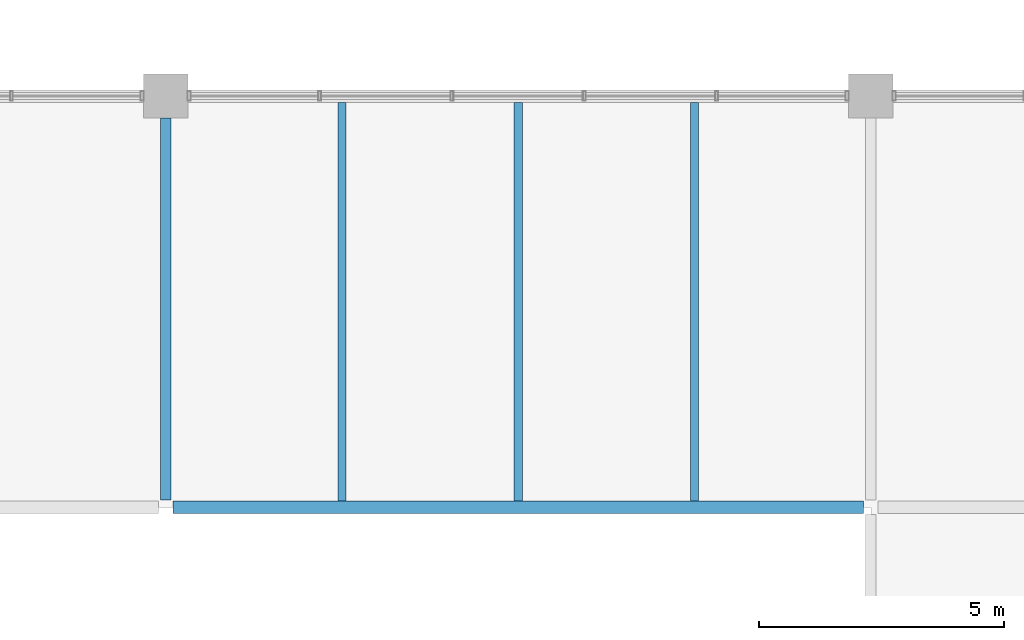
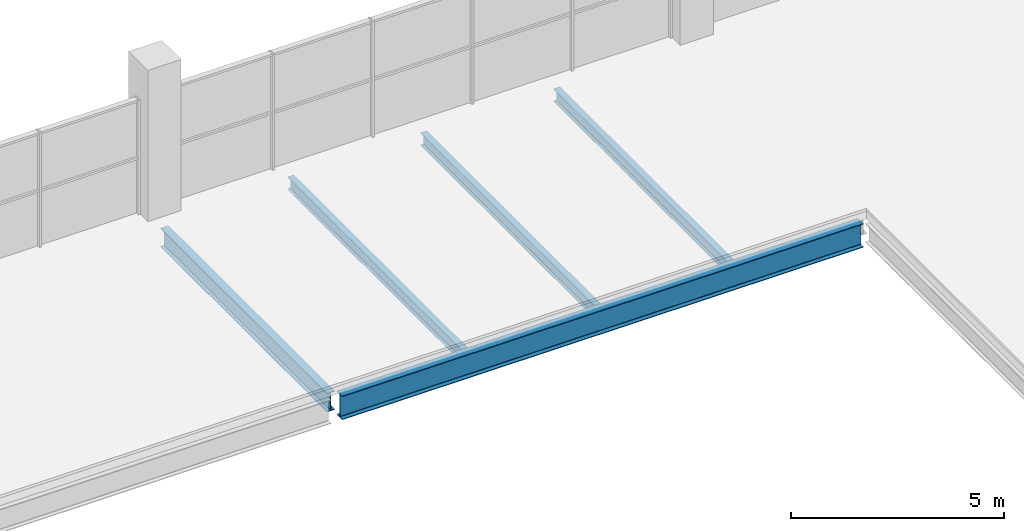
# One storey, part 24 of 93: 5 beams.
"""IFC4 building model written with IfcOpenShell, lengths in metres."""

from ifc_helpers import new_model, si_unit, direction, frame, origin, origin_2d, place, context, subcontext, project, spatial, i_section, extrude, material, material_profile, profile_set, type_object, element, save


model = new_model("IFC4")

# Units and contexts
model_context = context("Model", 3, precision=1e-05, world=origin(), true_north=direction((0.0, 1.0)))
body_context = subcontext(model_context, "Body", "Model", "MODEL_VIEW")
ifc_project = project(units=[si_unit("LENGTHUNIT", "METRE"), si_unit("AREAUNIT", "SQUARE_METRE"), si_unit("VOLUMEUNIT", "CUBIC_METRE"), si_unit("PLANEANGLEUNIT", "RADIAN"), si_unit("MASSUNIT", "GRAM", prefix="KILO"), si_unit("THERMODYNAMICTEMPERATUREUNIT", "KELVIN")], contexts=[model_context])

# Site, building, storey
site_placement = place(None, origin())
site = spatial("IfcSite", under=ifc_project, at=site_placement, CompositionType="ELEMENT")
building_placement = place(site_placement, origin())
building = spatial("IfcBuilding", under=site, at=building_placement, Name="Nduvali Passage Aquatics Centre", CompositionType="ELEMENT")
storey_placement = place(building_placement, frame((0.0, 0.0, 9.0)))
storey = spatial("IfcBuildingStorey", under=building, at=storey_placement, Name="L02", CompositionType="ELEMENT", Elevation=9.0)

# Beams
ifc_material = material(Name="Steel S355", Category="steel")
ifc_material_profile_1 = material_profile(ifc_material, i_section(OverallWidth=0.210693359375, OverallDepth=0.53955078125, WebThickness=0.01171875, FlangeThickness=0.018798828125, FilletRadius=0.0126953125, at=origin_2d()), Name="UKB 533x210x109")
ifc_profile_set_1 = profile_set([ifc_material_profile_1], Name="Steel S355")
beam_type_1 = type_object("IfcBeamType", Name="STR-BM-UKB533", PredefinedType="BEAM", material=ifc_profile_set_1)
beam_1_placement = place(storey_placement, frame((82.800048828125, 16.949951171875, -0.493896484375), z_axis=(0.0, 1.0, 0.0), x_axis=(-1.0, 0.0, 0.0)))
element("IfcBeam", 1, at=beam_1_placement, inside=storey, type_object=beam_type_1, Name="L02 Primary Y-Girder B6-0988", PredefinedType="BEAM", context=body_context, shape_type="SweptSolid", body=[
    extrude(i_section(OverallWidth=0.210693359375, OverallDepth=0.53955078125, WebThickness=0.01171875, FlangeThickness=0.018798828125, FilletRadius=0.0126953125, at=origin_2d()), origin(), (0.0, 0.0, 1.0), 7.800048828125),
])
ifc_material_profile_2 = material_profile(ifc_material, i_section(OverallWidth=0.253662109375, OverallDepth=0.68359375, WebThickness=0.012451171875, FlangeThickness=0.01904296875, FilletRadius=0.01513671875, at=origin_2d()), Name="UKB 686x254x140")
ifc_profile_set_2 = profile_set([ifc_material_profile_2], Name="Steel S355")
beam_type_2 = type_object("IfcBeamType", Name="STR-BM-UKB686", PredefinedType="BEAM", material=ifc_profile_set_2)
beam_2_placement = place(storey_placement, frame((82.949951171875, 16.800048828125, -0.565673828125), z_axis=(1.0, 0.0, 0.0), x_axis=(0.0, 1.0, 0.0)))
element("IfcBeam", 2, at=beam_2_placement, inside=storey, type_object=beam_type_2, Name="L02 Primary X-Girder B4-0871", PredefinedType="BEAM", context=body_context, shape_type="SweptSolid", body=[
    extrude(i_section(OverallWidth=0.253662109375, OverallDepth=0.68359375, WebThickness=0.012451171875, FlangeThickness=0.01904296875, FilletRadius=0.01513671875, at=origin_2d()), origin(), (0.0, 0.0, 1.0), 14.10009765625),
])
ifc_material_profile_3 = material_profile(ifc_material, i_section(OverallWidth=0.169921875, OverallDepth=0.360107421875, WebThickness=0.008056640625, FlangeThickness=0.0126953125, FilletRadius=0.01806640625, at=origin_2d()), Name="IPE 360")
ifc_profile_set_3 = profile_set([ifc_material_profile_3], Name="Steel S355")
beam_type_3 = type_object("IfcBeamType", Name="STR-JST-IPE360", PredefinedType="JOIST", material=ifc_profile_set_3)
for number, where, z_axis, x_axis, name in (
    (3, (86.39990234375, 16.9267578125, -0.404052734375), (0.0, 1.0, 0.0), (-1.0, 0.0, 0.0), "L02 Secondary Joist J6-1086"),
    (4, (90.0, 16.9267578125, -0.404052734375), (0.0, 1.0, 0.0), (-1.0, 0.0, 0.0), "L02 Secondary Joist J6-1087"),
    (5, (93.60009765625, 16.9267578125, -0.404052734375), (0.0, 1.0, 0.0), (-1.0, 0.0, 0.0), "L02 Secondary Joist J6-1088"),
):
    element("IfcBeam", number, at=place(storey_placement, frame(where, z_axis=z_axis, x_axis=x_axis)), inside=storey, type_object=beam_type_3, Name=name, PredefinedType="JOIST", context=body_context, shape_type="SweptSolid", body=[
        extrude(i_section(OverallWidth=0.169921875, OverallDepth=0.360107421875, WebThickness=0.008056640625, FlangeThickness=0.0126953125, FilletRadius=0.01806640625, at=origin_2d()), origin(), (0.0, 0.0, 1.0), 8.146484375),
    ])

save(model, "model.ifc")
